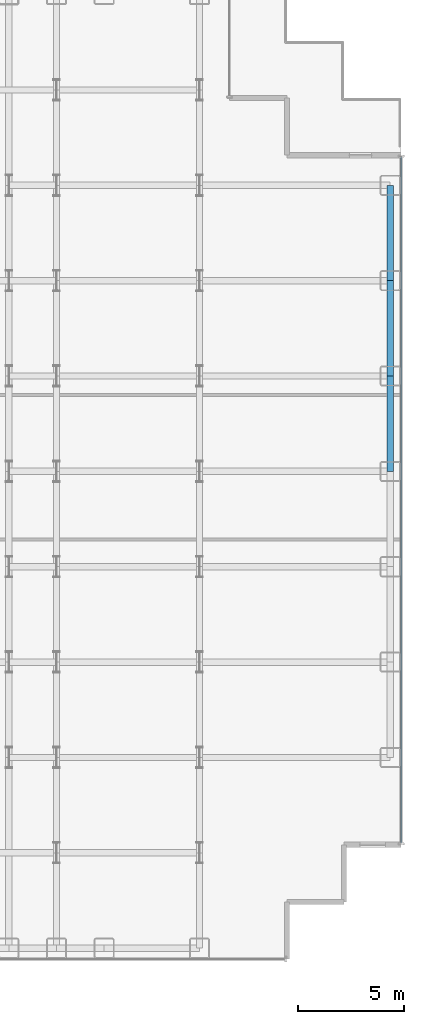
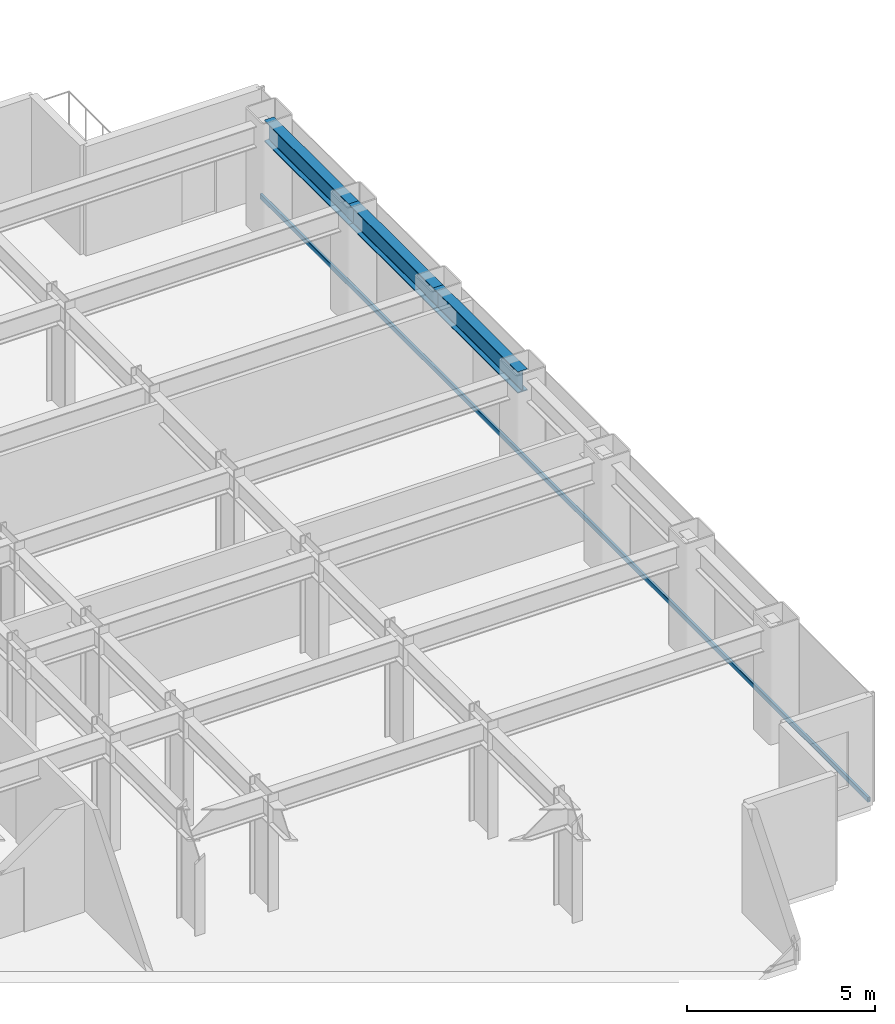
# One storey, part 17 of 26: 3 beams, 1 member, 1 element without a shape of its own.
"""IFC4 building model written with IfcOpenShell, lengths in metres."""

from ifc_helpers import new_model, si_unit, direction, frame, origin, origin_2d, place, context, subcontext, project, spatial, hollow_rectangle, i_section, extrude, source, transform, mapped, material, layer, layer_set, material_profile, profile_set, type_object, element, aggregate, save


model = new_model("IFC4")

# Units and contexts
model_context = context("Model", 3, precision=1e-05, world=origin(), true_north=direction((0.0, 1.0)))
body_context = subcontext(model_context, "Body", "Model", "MODEL_VIEW")
ifc_project = project(units=[si_unit("LENGTHUNIT", "METRE"), si_unit("AREAUNIT", "SQUARE_METRE"), si_unit("VOLUMEUNIT", "CUBIC_METRE"), si_unit("PLANEANGLEUNIT", "RADIAN"), si_unit("MASSUNIT", "GRAM", prefix="KILO")], contexts=[model_context])

# Site, building, storey
site_placement = place(None, origin())
site = spatial("IfcSite", under=ifc_project, at=site_placement, CompositionType="ELEMENT")
building_placement = place(site_placement, origin())
building = spatial("IfcBuilding", under=site, at=building_placement, Name="Nefas-Gora Pilgrimage Tower", CompositionType="ELEMENT")
storey_placement = place(building_placement, frame((0.0, 0.0, 106.0)))
storey = spatial("IfcBuildingStorey", under=building, at=storey_placement, Name="L25", CompositionType="ELEMENT", Elevation=106.0)

# Beams
ifc_material_1 = material(Name="Steel S355", Category="steel")
ifc_material_profile_1 = material_profile(ifc_material_1, i_section(OverallWidth=0.300048828125, OverallDepth=0.699951171875, WebThickness=0.01708984375, FlangeThickness=0.031982421875, FilletRadius=0.027099609375, at=origin_2d()), Name="HEB 700")
ifc_profile_set_1 = profile_set([ifc_material_profile_1], Name="Steel S355")
beam_type = type_object("IfcBeamType", Name="BM-SPN-HEB600", PredefinedType="SPANDREL", material=ifc_profile_set_1)
shared_shape_1 = source(origin(), body_context, "Body", "SweptSolid", [
    extrude(i_section(OverallWidth=0.300048828125, OverallDepth=0.699951171875, WebThickness=0.01708984375, FlangeThickness=0.031982421875, FilletRadius=0.027099609375, at=origin_2d()), origin(), (0.0, 0.0, 1.0), 4.5),
])
for number, where, z_axis, x_axis, name in (
    (1, (33.75, 0.0, 3.199951171875), (0.0, 1.0, 0.0), (-1.0, 0.0, 0.0), "L25 SP-01 beam"),
    (2, (33.75, 4.5, 3.199951171875), (0.0, 1.0, 0.0), (-1.0, 0.0, 0.0), "L25 SP-01 beam"),
    (3, (33.75, 9.0, 3.199951171875), (0.0, 1.0, 0.0), (-1.0, 0.0, 0.0), "L25 SP-01 beam"),
):
    element("IfcBeam", number, at=place(storey_placement, frame(where, z_axis=z_axis, x_axis=x_axis)), inside=storey, type_object=beam_type, Name=name, PredefinedType="SPANDREL", context=body_context, shape_type="MappedRepresentation", body=[
        mapped(shared_shape_1, transform((0.0, 0.0, 0.0), x_axis=(1.0, 0.0, 0.0), y_axis=(0.0, 1.0, 0.0), z_axis=(0.0, 0.0, 1.0), scale=1.0)),
    ])

# Curtain wall, member
ifc_material_2 = material(Name="Dark ceramic-fritted solar-control aluminium-glass curtain wall", Category="aluminium")
ifc_layer = layer(ifc_material_2, 0.219970703125)
ifc_layer_set = layer_set([ifc_layer], Name="Dark ceramic-fritted solar-control aluminium-glass curtain wall")
curtain_wall_type = type_object("IfcCurtainWallType", Name="CW-SYS-2", PredefinedType="NOTDEFINED", material=ifc_layer_set)
curtain_wall_placement = place(storey_placement, origin())
curtain_wall = element("IfcCurtainWall", 4, at=curtain_wall_placement, inside=storey, type_object=curtain_wall_type, Name="L25 Unitised Curtain Wall CW2", PredefinedType="NOTDEFINED")
ifc_material_3 = material(Name="Anodised architectural aluminium", Category="aluminium")
ifc_material_profile_2 = material_profile(ifc_material_3, hollow_rectangle(XDim=0.080078125, YDim=0.159912109375, WallThickness=0.00439453125, InnerFilletRadius=0.00439453125, OuterFilletRadius=0.009033203125, at=origin_2d()), Name="ALU TRANSOM 80x160")
ifc_profile_set_2 = profile_set([ifc_material_profile_2], Name="Anodised architectural aluminium")
member_type = type_object("IfcMemberType", Name="CWM-TRN-2", PredefinedType="USERDEFINED", material=ifc_profile_set_2)
shared_shape_2 = source(origin(), body_context, "Body", "SweptSolid", [
    extrude(hollow_rectangle(XDim=0.080078125, YDim=0.159912109375, WallThickness=0.00439453125, InnerFilletRadius=0.00439453125, OuterFilletRadius=0.009033203125, at=origin_2d()), origin(), (0.0, 0.0, 1.0), 32.360107421875),
])
member_placement = place(storey_placement, frame((34.27001953125, -17.530029296875, 0.050048828125), z_axis=(0.0, 1.0, 0.0), x_axis=(-1.0, 0.0, 0.0)))
member = element("IfcMember", 5, at=member_placement, type_object=member_type, Name="CW2 Spandrel Transom", ObjectType="TRANSOM", PredefinedType="USERDEFINED", context=body_context, shape_type="MappedRepresentation", body=[
    mapped(shared_shape_2, transform((0.0, 0.0, 0.0), x_axis=(1.0, 0.0, 0.0), y_axis=(0.0, 1.0, 0.0), z_axis=(0.0, 0.0, 1.0), scale=1.0)),
])
aggregate(curtain_wall, [member])

save(model, "model.ifc")
